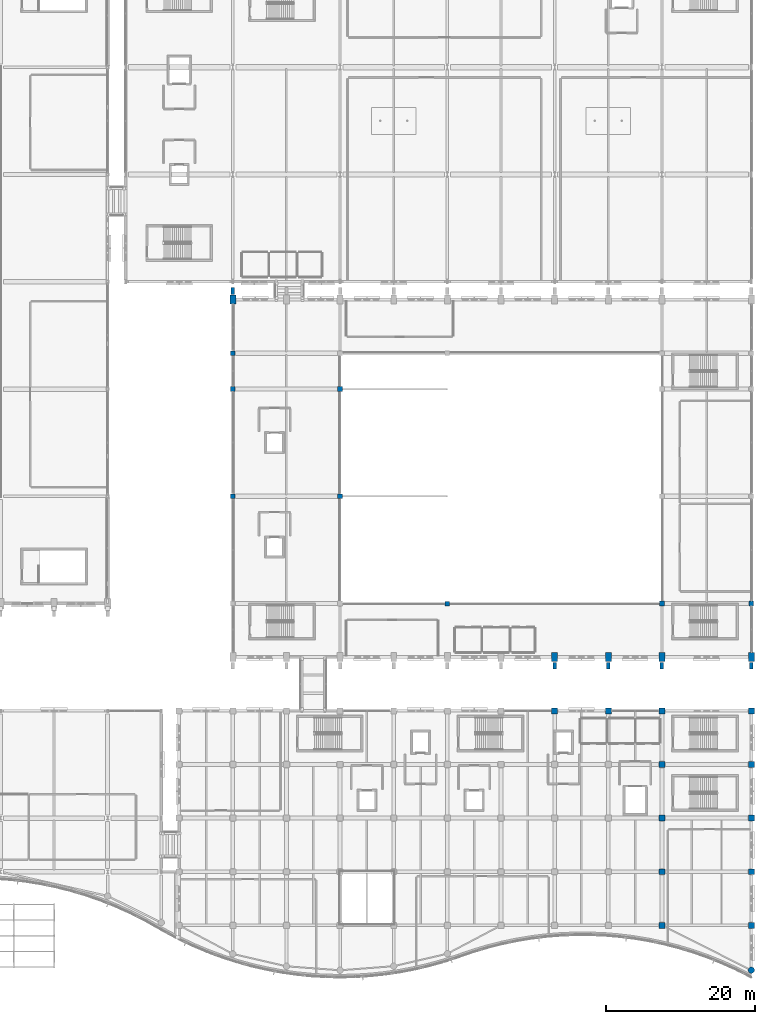
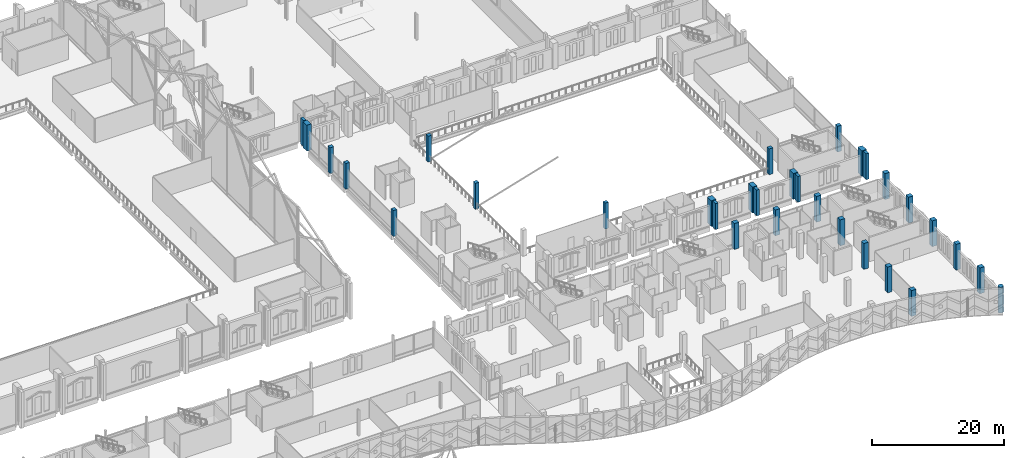
# One storey, part 16 of 220: 31 columns.
"""IFC4 building model written with IfcOpenShell, lengths in metres."""

from ifc_helpers import new_model, si_unit, direction, frame, origin, origin_2d, place, context, subcontext, project, spatial, rectangle, circle, extrude, material, material_profile, profile_set, type_object, element, save


model = new_model("IFC4")

# Units and contexts
model_context = context("Model", 3, precision=1e-05, world=origin(), true_north=direction((0.0, 1.0)))
body_context = subcontext(model_context, "Body", "Model", "MODEL_VIEW")
ifc_project = project(units=[si_unit("LENGTHUNIT", "METRE"), si_unit("AREAUNIT", "SQUARE_METRE"), si_unit("VOLUMEUNIT", "CUBIC_METRE"), si_unit("PLANEANGLEUNIT", "RADIAN"), si_unit("MASSUNIT", "GRAM", prefix="KILO")], contexts=[model_context])

# Site, building, storey
site_placement = place(None, origin())
site = spatial("IfcSite", under=ifc_project, at=site_placement, CompositionType="ELEMENT")
building_placement = place(site_placement, origin())
building = spatial("IfcBuilding", under=site, at=building_placement, Name="Cendralis Lancet Convention Centre", CompositionType="ELEMENT")
storey_placement = place(building_placement, frame((0.0, 0.0, 5.39990234375)))
storey = spatial("IfcBuildingStorey", under=building, at=storey_placement, Name="L01", CompositionType="ELEMENT", Elevation=5.39990234375)

# Columns
ifc_material = material(Name="Concrete G40 (C40/50)", Category="concrete")
ifc_material_profile_1 = material_profile(ifc_material, rectangle(XDim=0.800048828125, YDim=0.800048828125, at=origin_2d()), Name="RC 800x800")
ifc_profile_set_1 = profile_set([ifc_material_profile_1], Name="Concrete G40 (C40/50)")
column_type_1 = type_object("IfcColumnType", Name="STR-COL-C05", PredefinedType="COLUMN", material=ifc_profile_set_1)
for number, where, z_axis, x_axis, name in (
    (1, (182.39990234375, 36.0, 0.0), (0.0, 0.0, 1.0), (1.0, 0.0, 0.0), "L01 Column C05 at 182.4,36.0"),
    (2, (189.60009765625, 36.0, 0.0), (0.0, 0.0, 1.0), (1.0, 0.0, 0.0), "L01 Column C05 at 189.6,36.0"),
    (3, (196.800048828125, 36.0, 0.0), (0.0, 0.0, 1.0), (1.0, 0.0, 0.0), "L01 Column C05 at 196.8,36.0"),
    (4, (208.800048828125, 7.199951171875, 0.0), (0.0, 0.0, 1.0), (1.0, 0.0, 0.0), "L01 Column C05 at 208.8,7.2"),
    (5, (208.800048828125, 14.39990234375, 0.0), (0.0, 0.0, 1.0), (1.0, 0.0, 0.0), "L01 Column C05 at 208.8,14.4"),
    (6, (208.800048828125, 21.60009765625, 0.0), (0.0, 0.0, 1.0), (1.0, 0.0, 0.0), "L01 Column C05 at 208.8,21.6"),
    (7, (208.800048828125, 28.800048828125, 0.0), (0.0, 0.0, 1.0), (1.0, 0.0, 0.0), "L01 Column C05 at 208.8,28.8"),
    (8, (208.800048828125, 36.0, 0.0), (0.0, 0.0, 1.0), (1.0, 0.0, 0.0), "L01 Column C05 at 208.8,36.0"),
):
    element("IfcColumn", number, at=place(storey_placement, frame(where, z_axis=z_axis, x_axis=x_axis)), inside=storey, type_object=column_type_1, Name=name, PredefinedType="COLUMN", context=body_context, shape_type="SweptSolid", body=[
        extrude(rectangle(XDim=0.800048828125, YDim=0.800048828125, at=origin_2d()), origin(), (0.0, 0.0, 1.0), 4.800048828125),
    ])
ifc_material_profile_2 = material_profile(ifc_material, rectangle(XDim=0.800048828125, YDim=0.800048828125, at=origin_2d()), Name="RC 800x800")
ifc_profile_set_2 = profile_set([ifc_material_profile_2], Name="Concrete G40 (C40/50)")
column_type_2 = type_object("IfcColumnType", Name="STR-COL-C05-INT", PredefinedType="COLUMN", material=ifc_profile_set_2)
for number, where, z_axis, x_axis, name in (
    (9, (196.800048828125, 7.199951171875, 0.0), (0.0, 0.0, 1.0), (1.0, 0.0, 0.0), "L01 Column C05 at 196.8,7.2"),
    (10, (196.800048828125, 14.39990234375, 0.0), (0.0, 0.0, 1.0), (1.0, 0.0, 0.0), "L01 Column C05 at 196.8,14.4"),
    (11, (196.800048828125, 21.60009765625, 0.0), (0.0, 0.0, 1.0), (1.0, 0.0, 0.0), "L01 Column C05 at 196.8,21.6"),
    (12, (196.800048828125, 28.800048828125, 0.0), (0.0, 0.0, 1.0), (1.0, 0.0, 0.0), "L01 Column C05 at 196.8,28.8"),
):
    element("IfcColumn", number, at=place(storey_placement, frame(where, z_axis=z_axis, x_axis=x_axis)), inside=storey, type_object=column_type_2, Name=name, PredefinedType="COLUMN", context=body_context, shape_type="SweptSolid", body=[
        extrude(rectangle(XDim=0.800048828125, YDim=0.800048828125, at=origin_2d()), origin(), (0.0, 0.0, 1.0), 4.800048828125),
    ])
ifc_material_profile_3 = material_profile(ifc_material, rectangle(XDim=0.64990234375, YDim=0.64990234375, at=origin_2d()), Name="RC 650x650")
ifc_profile_set_3 = profile_set([ifc_material_profile_3], Name="Concrete G40 (C40/50)")
column_type_3 = type_object("IfcColumnType", Name="STR-COL-C08", PredefinedType="COLUMN", material=ifc_profile_set_3)
for number, where, z_axis, x_axis, name in (
    (13, (139.199951171875, 64.800048828125, 0.0), (0.0, 0.0, 1.0), (1.0, 0.0, 0.0), "L01 Column C08 at 139.2,64.8"),
    (14, (139.199951171875, 79.199951171875, 0.0), (0.0, 0.0, 1.0), (1.0, 0.0, 0.0), "L01 Column C08 at 139.2,79.2"),
    (15, (139.199951171875, 84.0, 0.0), (0.0, 0.0, 1.0), (1.0, 0.0, 0.0), "L01 Column C08 at 139.2,84.0"),
    (16, (208.800048828125, 50.39990234375, 0.0), (0.0, 0.0, 1.0), (1.0, 0.0, 0.0), "L01 Column C08 at 208.8,50.4"),
):
    element("IfcColumn", number, at=place(storey_placement, frame(where, z_axis=z_axis, x_axis=x_axis)), inside=storey, type_object=column_type_3, Name=name, PredefinedType="COLUMN", context=body_context, shape_type="SweptSolid", body=[
        extrude(rectangle(XDim=0.64990234375, YDim=0.64990234375, at=origin_2d()), origin(), (0.0, 0.0, 1.0), 4.800048828125),
    ])
ifc_material_profile_4 = material_profile(ifc_material, rectangle(XDim=0.64990234375, YDim=0.64990234375, at=origin_2d()), Name="RC 650x650")
ifc_profile_set_4 = profile_set([ifc_material_profile_4], Name="Concrete G40 (C40/50)")
column_type_4 = type_object("IfcColumnType", Name="STR-COL-C08-INT", PredefinedType="COLUMN", material=ifc_profile_set_4)
for number, where, z_axis, x_axis, name in (
    (17, (153.60009765625, 64.800048828125, 0.0), (0.0, 0.0, 1.0), (1.0, 0.0, 0.0), "L01 Column C08 at 153.6,64.8"),
    (18, (153.60009765625, 79.199951171875, 0.0), (0.0, 0.0, 1.0), (1.0, 0.0, 0.0), "L01 Column C08 at 153.6,79.2"),
    (19, (196.800048828125, 50.39990234375, 0.0), (0.0, 0.0, 1.0), (1.0, 0.0, 0.0), "L01 Column C08 at 196.8,50.4"),
):
    element("IfcColumn", number, at=place(storey_placement, frame(where, z_axis=z_axis, x_axis=x_axis)), inside=storey, type_object=column_type_4, Name=name, PredefinedType="COLUMN", context=body_context, shape_type="SweptSolid", body=[
        extrude(rectangle(XDim=0.64990234375, YDim=0.64990234375, at=origin_2d()), origin(), (0.0, 0.0, 1.0), 4.800048828125),
    ])
ifc_material_profile_5 = material_profile(ifc_material, rectangle(XDim=0.60009765625, YDim=0.60009765625, at=origin_2d()), Name="RC 600x600")
ifc_profile_set_5 = profile_set([ifc_material_profile_5], Name="Concrete G40 (C40/50)")
column_type_5 = type_object("IfcColumnType", Name="STR-COL-C09-INT", PredefinedType="COLUMN", material=ifc_profile_set_5)
column_1_placement = place(storey_placement, frame((168.0, 50.39990234375, 0.0), z_axis=(0.0, 0.0, 1.0), x_axis=(1.0, 0.0, 0.0)))
element("IfcColumn", 20, at=column_1_placement, inside=storey, type_object=column_type_5, Name="L01 Column C09 at 168.0,50.4", PredefinedType="COLUMN", context=body_context, shape_type="SweptSolid", body=[
    extrude(rectangle(XDim=0.60009765625, YDim=0.60009765625, at=origin_2d()), origin(), (0.0, 0.0, 1.0), 4.800048828125),
])
ifc_material_profile_6 = material_profile(ifc_material, rectangle(XDim=0.800048828125, YDim=1.199951171875, at=origin_2d()), Name="RC 800x1200")
ifc_profile_set_6 = profile_set([ifc_material_profile_6], Name="Concrete G40 (C40/50)")
column_type_6 = type_object("IfcColumnType", Name="STR-COL-C15", PredefinedType="COLUMN", material=ifc_profile_set_6)
for number, where, z_axis, x_axis, name in (
    (21, (139.199951171875, 91.199951171875, 0.0), (0.0, 0.0, 1.0), (1.0, 0.0, 0.0), "L01 Column C15 at 139.2,91.2"),
    (22, (182.39990234375, 43.199951171875, 0.0), (0.0, 0.0, 1.0), (1.0, 0.0, 0.0), "L01 Column C15 at 182.4,43.2"),
    (23, (189.60009765625, 43.199951171875, 0.0), (0.0, 0.0, 1.0), (1.0, 0.0, 0.0), "L01 Column C15 at 189.6,43.2"),
    (24, (196.800048828125, 43.199951171875, 0.0), (0.0, 0.0, 1.0), (1.0, 0.0, 0.0), "L01 Column C15 at 196.8,43.2"),
    (25, (208.800048828125, 43.199951171875, 0.0), (0.0, 0.0, 1.0), (1.0, 0.0, 0.0), "L01 Column C15 at 208.8,43.2"),
):
    element("IfcColumn", number, at=place(storey_placement, frame(where, z_axis=z_axis, x_axis=x_axis)), inside=storey, type_object=column_type_6, Name=name, PredefinedType="COLUMN", context=body_context, shape_type="SweptSolid", body=[
        extrude(rectangle(XDim=0.800048828125, YDim=1.199951171875, at=origin_2d()), origin(), (0.0, 0.0, 1.0), 4.800048828125),
    ])
ifc_material_profile_7 = material_profile(ifc_material, circle(Radius=0.425048828125, at=origin_2d()), Name="RC D850")
ifc_profile_set_7 = profile_set([ifc_material_profile_7], Name="Concrete G40 (C40/50)")
column_type_7 = type_object("IfcColumnType", Name="STR-COL-C17", PredefinedType="COLUMN", material=ifc_profile_set_7)
column_2_placement = place(storey_placement, frame((208.800048828125, 1.183837890625, 0.0), z_axis=(0.0, 0.0, 1.0), x_axis=(1.0, 0.0, 0.0)))
element("IfcColumn", 26, at=column_2_placement, inside=storey, type_object=column_type_7, Name="L01 Column C17 at 208.8,1.2", PredefinedType="COLUMN", context=body_context, shape_type="SweptSolid", body=[
    extrude(circle(Radius=0.425048828125, at=origin_2d()), origin(), (0.0, 0.0, 1.0), 4.800048828125),
])
ifc_material_profile_8 = material_profile(ifc_material, rectangle(XDim=0.449951171875, YDim=0.89990234375, at=origin_2d()), Name="RC 450x900")
ifc_profile_set_8 = profile_set([ifc_material_profile_8], Name="Concrete G40 (C40/50)")
column_type_8 = type_object("IfcColumnType", Name="STR-PIL-PL02", PredefinedType="PILASTER", material=ifc_profile_set_8)
for number, where, z_axis, x_axis, name in (
    (27, (139.199951171875, 92.360107421875, 0.0), (0.0, 0.0, 1.0), (1.0, 0.0, 0.0), "L01 Column PL02 at 139.2,92.4"),
    (28, (182.39990234375, 42.0400390625, 0.0), (0.0, 0.0, 1.0), (1.0, 0.0, 0.0), "L01 Column PL02 at 182.4,42.0"),
    (29, (189.60009765625, 42.0400390625, 0.0), (0.0, 0.0, 1.0), (1.0, 0.0, 0.0), "L01 Column PL02 at 189.6,42.0"),
    (30, (196.800048828125, 42.0400390625, 0.0), (0.0, 0.0, 1.0), (1.0, 0.0, 0.0), "L01 Column PL02 at 196.8,42.0"),
    (31, (208.800048828125, 42.0400390625, 0.0), (0.0, 0.0, 1.0), (1.0, 0.0, 0.0), "L01 Column PL02 at 208.8,42.0"),
):
    element("IfcColumn", number, at=place(storey_placement, frame(where, z_axis=z_axis, x_axis=x_axis)), inside=storey, type_object=column_type_8, Name=name, PredefinedType="PILASTER", context=body_context, shape_type="SweptSolid", body=[
        extrude(rectangle(XDim=0.449951171875, YDim=0.89990234375, at=origin_2d()), origin(), (0.0, 0.0, 1.0), 4.800048828125),
    ])

save(model, "model.ifc")
